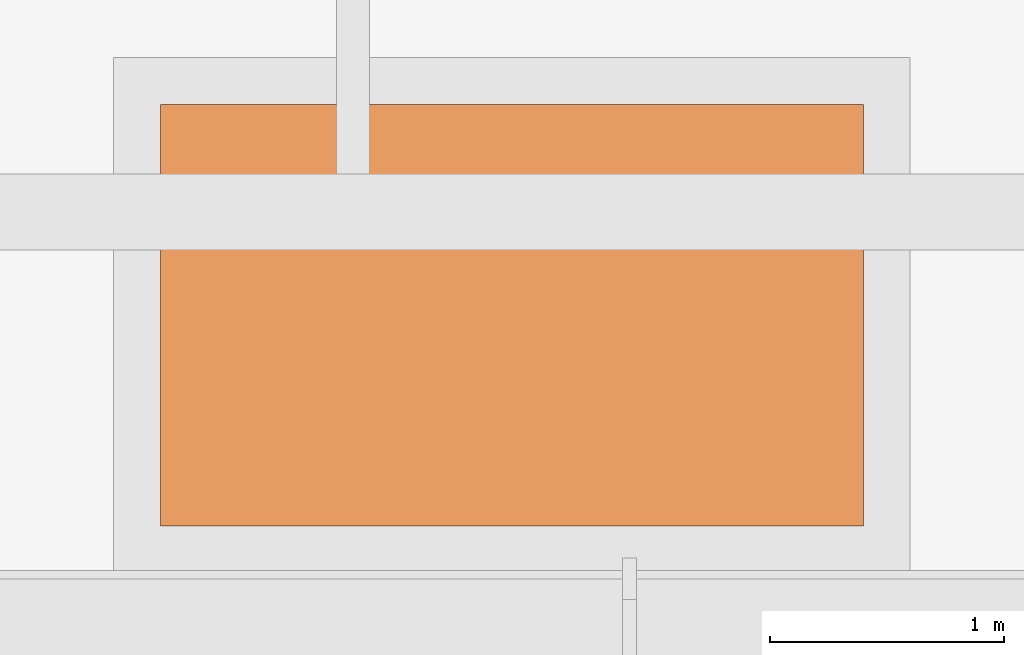
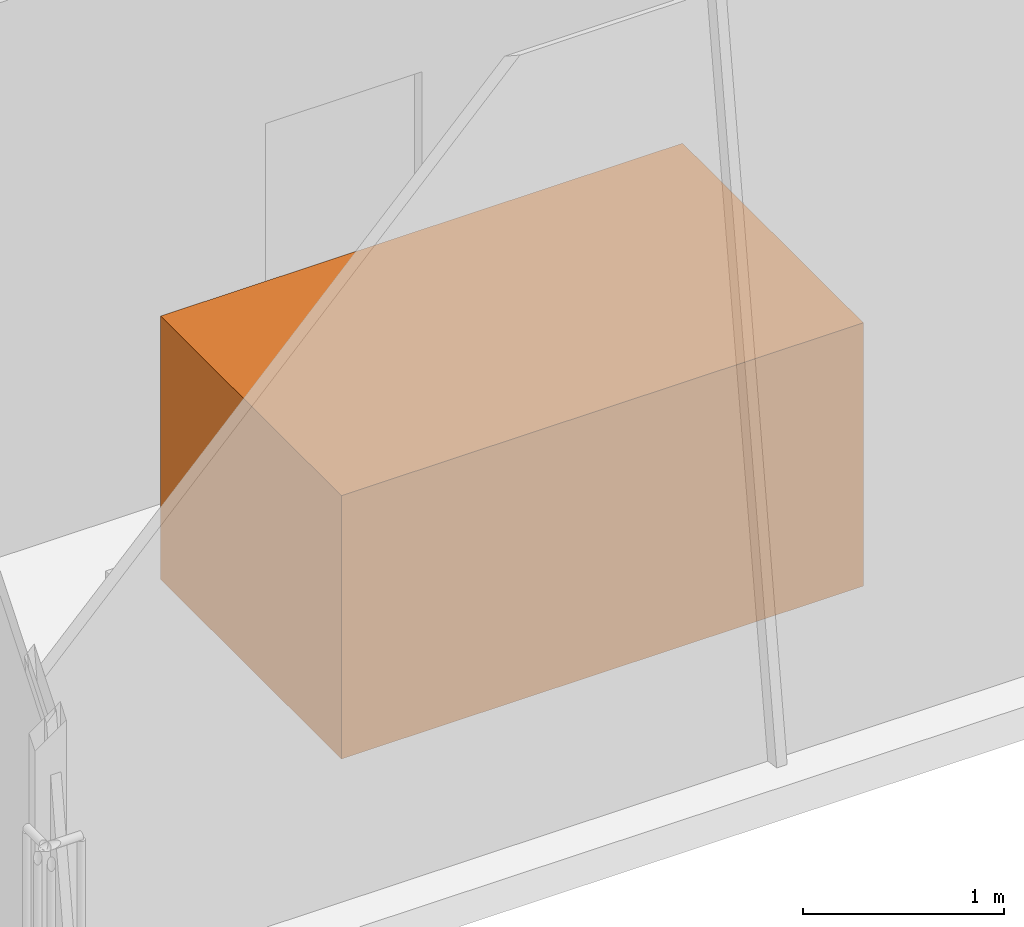
# One storey, part 6 of 6: 1 proxy.
"""IFC4 building model written with IfcOpenShell, lengths in metres."""

from ifc_helpers import new_model, si_unit, direction, frame, origin, origin_2d, place, context, subcontext, project, spatial, rectangle, extrude, element, save


model = new_model("IFC4")

# Units and contexts
model_context = context("Model", 3, precision=1e-05, world=origin(), true_north=direction((0.0, 1.0)))
body_context = subcontext(model_context, "Body", "Model", "MODEL_VIEW")
ifc_project = project(units=[si_unit("LENGTHUNIT", "METRE"), si_unit("AREAUNIT", "SQUARE_METRE"), si_unit("VOLUMEUNIT", "CUBIC_METRE"), si_unit("PLANEANGLEUNIT", "RADIAN"), si_unit("MASSUNIT", "GRAM", prefix="KILO")], contexts=[model_context])

# Site, building, storey
site_placement = place(None, origin())
site = spatial("IfcSite", under=ifc_project, at=site_placement, CompositionType="ELEMENT")
building_placement = place(site_placement, origin())
building = spatial("IfcBuilding", under=site, at=building_placement, Name="Bicima Exchange Tower", CompositionType="ELEMENT")
storey_placement = place(building_placement, frame((0.0, 0.0, 374.89990234375)))
storey = spatial("IfcBuildingStorey", under=building, at=storey_placement, Name="L84", CompositionType="ELEMENT", Elevation=374.89990234375)

# Proxy
proxy_placement = place(storey_placement, frame((-29.172119140625, -17.214111328125, 0.199951171875), z_axis=(0.0, 0.0, 1.0), x_axis=(1.0, 0.0, 0.0)))
element("IfcBuildingElementProxy", 1, at=proxy_placement, inside=storey, Name="Pump set L84", ObjectType="Pump set", PredefinedType="USERDEFINED", context=body_context, shape_type="SweptSolid", body=[
    extrude(rectangle(XDim=3.0, YDim=1.800048828125, at=origin_2d()), origin(), (0.0, 0.0, 1.0), 1.60009765625),
])

save(model, "model.ifc")
